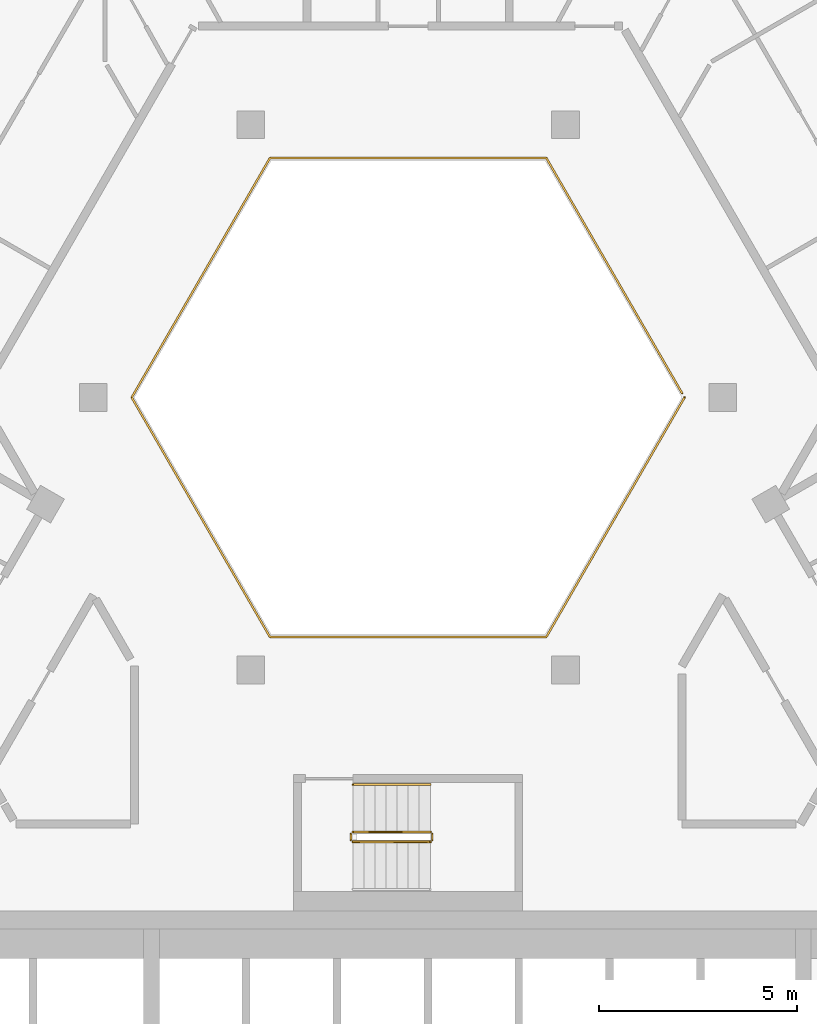
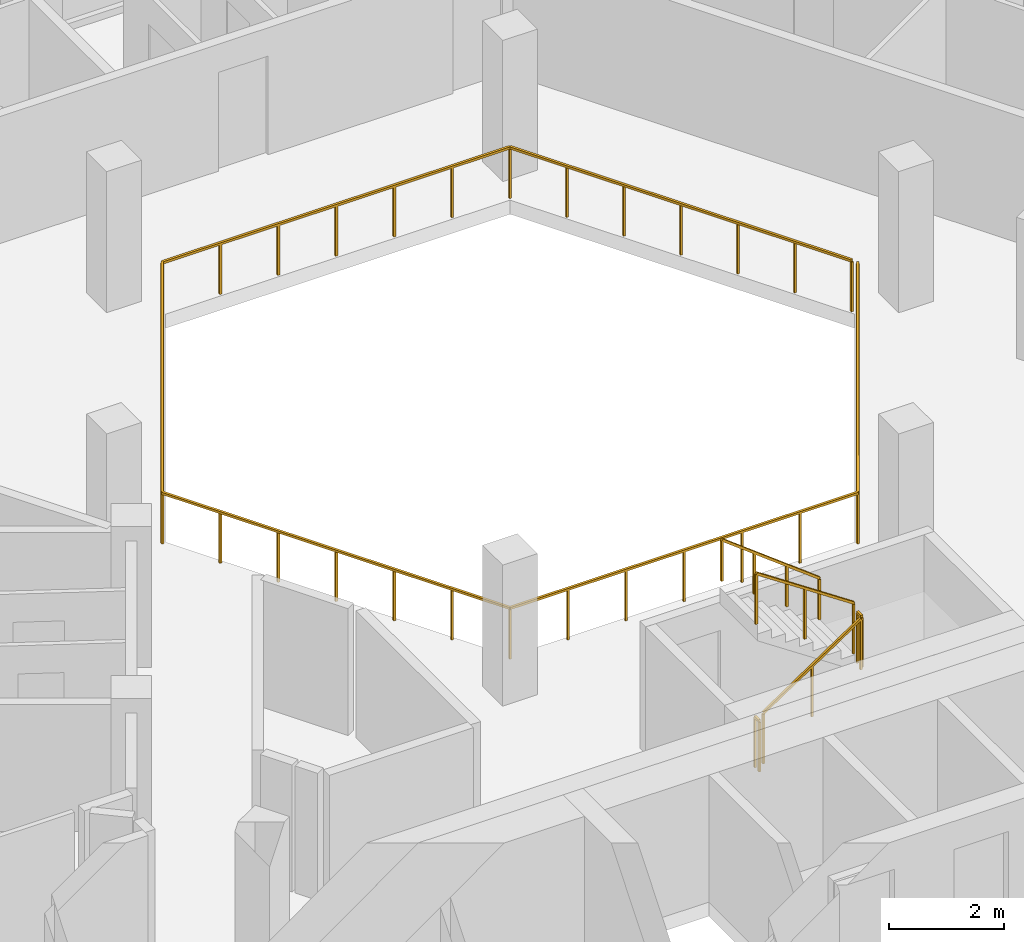
# One storey, part 13 of 15: 6 railings.
"""IFC4 building model written with IfcOpenShell, lengths in metres."""

from ifc_helpers import new_model, si_unit, direction, frame, origin, origin_2d, place, context, subcontext, project, spatial, rectangle, extrude, material, type_object, element, save


model = new_model("IFC4")

# Units and contexts
model_context = context("Model", 3, precision=1e-05, world=origin(), true_north=direction((0.0, 1.0)))
body_context = subcontext(model_context, "Body", "Model", "MODEL_VIEW")
ifc_project = project(units=[si_unit("LENGTHUNIT", "METRE"), si_unit("AREAUNIT", "SQUARE_METRE"), si_unit("VOLUMEUNIT", "CUBIC_METRE"), si_unit("PLANEANGLEUNIT", "RADIAN"), si_unit("MASSUNIT", "GRAM", prefix="KILO")], contexts=[model_context])

# Site, building, storey
site_placement = place(None, origin())
site = spatial("IfcSite", under=ifc_project, at=site_placement, CompositionType="ELEMENT")
building_placement = place(site_placement, origin())
building = spatial("IfcBuilding", under=site, at=building_placement, Name="Beryl Residences", CompositionType="ELEMENT")
storey_placement = place(building_placement, frame((0.0, 0.0, 211.800048828125)))
storey = spatial("IfcBuildingStorey", under=building, at=storey_placement, Name="L65", CompositionType="ELEMENT", Elevation=211.800048828125)

# Railings
ifc_material_1 = material(Name="Stainless steel balustrade with glass infill", Category="steel")
railing_type_1 = type_object("IfcRailingType", Name="EG1 edge guard 1100 mm", PredefinedType="GUARDRAIL", material=ifc_material_1)
railing_1_placement = place(storey_placement, frame((6.9970703125, 8.0, 0.0)))
element("IfcRailing", 1, at=railing_1_placement, inside=storey, type_object=railing_type_1, Name="L65 atrium guard", PredefinedType="GUARDRAIL", context=body_context, shape_type="SweptSolid", body=[
    extrude(rectangle(XDim=0.048095703125, YDim=0.048095703125, at=origin_2d()), frame((0.0, 0.0, 1.076171875), z_axis=(-0.499921796684, -0.866070549782, 0.0), x_axis=(0.866070549782, -0.499921796684, 0.0)), (0.0, 0.0, 1.0), 6.9970703125),
    extrude(rectangle(XDim=0.048095703125, YDim=0.048095703125, at=origin_2d()), frame((-3.498046875, -6.06005859375, 1.076171875), z_axis=(-1.0, 0.0, 0.0), x_axis=(0.0, -1.0, 0.0)), (0.0, 0.0, 1.0), 6.998046875),
    extrude(rectangle(XDim=0.048095703125, YDim=0.048095703125, at=origin_2d()), frame((-10.49609375, -6.06005859375, 1.076171875), z_axis=(-0.499921796684, 0.866070549782, 0.0), x_axis=(-0.866070549782, -0.499921796684, 0.0)), (0.0, 0.0, 1.0), 6.9970703125),
    extrude(rectangle(XDim=0.048095703125, YDim=0.048095703125, at=origin_2d()), frame((-13.994140625, 0.0, 1.076171875), z_axis=(0.499921796684, 0.866070549782, 0.0), x_axis=(-0.866070549782, 0.499921796684, 0.0)), (0.0, 0.0, 1.0), 6.9970703125),
    extrude(rectangle(XDim=0.048095703125, YDim=0.048095703125, at=origin_2d()), frame((-10.49609375, 6.06005859375, 1.076171875), z_axis=(1.0, 0.0, 0.0), x_axis=(0.0, 1.0, 0.0)), (0.0, 0.0, 1.0), 6.998046875),
    extrude(rectangle(XDim=0.048095703125, YDim=0.048095703125, at=origin_2d()), frame((-3.498046875, 6.06005859375, 1.076171875), z_axis=(0.499919131929, -0.866072087953, 0.0), x_axis=(0.866072087953, 0.499919131929, 0.0)), (0.0, 0.0, 1.0), 6.877197265625),
    extrude(rectangle(XDim=0.0419921875, YDim=0.0419921875, at=origin_2d()), origin(), (0.0, 0.0, 1.0), 1.052001953125),
    extrude(rectangle(XDim=0.0419921875, YDim=0.0419921875, at=origin_2d()), frame((-0.5830078125, -1.010009765625, 0.0)), (0.0, 0.0, 1.0), 1.052001953125),
    extrude(rectangle(XDim=0.0419921875, YDim=0.0419921875, at=origin_2d()), frame((-1.166015625, -2.02001953125, 0.0)), (0.0, 0.0, 1.0), 1.052001953125),
    extrude(rectangle(XDim=0.0419921875, YDim=0.0419921875, at=origin_2d()), frame((-1.7490234375, -3.030029296875, 0.0)), (0.0, 0.0, 1.0), 1.052001953125),
    extrude(rectangle(XDim=0.0419921875, YDim=0.0419921875, at=origin_2d()), frame((-2.33203125, -4.0400390625, 0.0)), (0.0, 0.0, 1.0), 1.052001953125),
    extrude(rectangle(XDim=0.0419921875, YDim=0.0419921875, at=origin_2d()), frame((-2.9150390625, -5.050048828125, 0.0)), (0.0, 0.0, 1.0), 1.052001953125),
    extrude(rectangle(XDim=0.0419921875, YDim=0.0419921875, at=origin_2d()), frame((-3.498046875, -6.06005859375, 0.0)), (0.0, 0.0, 1.0), 1.052001953125),
    extrude(rectangle(XDim=0.0419921875, YDim=0.0419921875, at=origin_2d()), frame((-4.664306640625, -6.06005859375, 0.0)), (0.0, 0.0, 1.0), 1.052001953125),
    extrude(rectangle(XDim=0.0419921875, YDim=0.0419921875, at=origin_2d()), frame((-5.830810546875, -6.06005859375, 0.0)), (0.0, 0.0, 1.0), 1.052001953125),
    extrude(rectangle(XDim=0.0419921875, YDim=0.0419921875, at=origin_2d()), frame((-6.9970703125, -6.06005859375, 0.0)), (0.0, 0.0, 1.0), 1.052001953125),
    extrude(rectangle(XDim=0.0419921875, YDim=0.0419921875, at=origin_2d()), frame((-8.163330078125, -6.06005859375, 0.0)), (0.0, 0.0, 1.0), 1.052001953125),
    extrude(rectangle(XDim=0.0419921875, YDim=0.0419921875, at=origin_2d()), frame((-9.329833984375, -6.06005859375, 0.0)), (0.0, 0.0, 1.0), 1.052001953125),
    extrude(rectangle(XDim=0.0419921875, YDim=0.0419921875, at=origin_2d()), frame((-10.49609375, -6.06005859375, 0.0)), (0.0, 0.0, 1.0), 1.052001953125),
    extrude(rectangle(XDim=0.0419921875, YDim=0.0419921875, at=origin_2d()), frame((-11.0791015625, -5.050048828125, 0.0)), (0.0, 0.0, 1.0), 1.052001953125),
    extrude(rectangle(XDim=0.0419921875, YDim=0.0419921875, at=origin_2d()), frame((-11.662109375, -4.0400390625, 0.0)), (0.0, 0.0, 1.0), 1.052001953125),
    extrude(rectangle(XDim=0.0419921875, YDim=0.0419921875, at=origin_2d()), frame((-12.2451171875, -3.030029296875, 0.0)), (0.0, 0.0, 1.0), 1.052001953125),
    extrude(rectangle(XDim=0.0419921875, YDim=0.0419921875, at=origin_2d()), frame((-12.828125, -2.02001953125, 0.0)), (0.0, 0.0, 1.0), 1.052001953125),
    extrude(rectangle(XDim=0.0419921875, YDim=0.0419921875, at=origin_2d()), frame((-13.4111328125, -1.010009765625, 0.0)), (0.0, 0.0, 1.0), 1.052001953125),
    extrude(rectangle(XDim=0.0419921875, YDim=0.0419921875, at=origin_2d()), frame((-13.994140625, 0.0, 0.0)), (0.0, 0.0, 1.0), 1.052001953125),
    extrude(rectangle(XDim=0.0419921875, YDim=0.0419921875, at=origin_2d()), frame((-13.4111328125, 1.010009765625, 0.0)), (0.0, 0.0, 1.0), 1.052001953125),
    extrude(rectangle(XDim=0.0419921875, YDim=0.0419921875, at=origin_2d()), frame((-12.828125, 2.02001953125, 0.0)), (0.0, 0.0, 1.0), 1.052001953125),
    extrude(rectangle(XDim=0.0419921875, YDim=0.0419921875, at=origin_2d()), frame((-12.2451171875, 3.030029296875, 0.0)), (0.0, 0.0, 1.0), 1.052001953125),
    extrude(rectangle(XDim=0.0419921875, YDim=0.0419921875, at=origin_2d()), frame((-11.662109375, 4.0400390625, 0.0)), (0.0, 0.0, 1.0), 1.052001953125),
    extrude(rectangle(XDim=0.0419921875, YDim=0.0419921875, at=origin_2d()), frame((-11.0791015625, 5.050048828125, 0.0)), (0.0, 0.0, 1.0), 1.052001953125),
    extrude(rectangle(XDim=0.0419921875, YDim=0.0419921875, at=origin_2d()), frame((-10.49609375, 6.06005859375, 0.0)), (0.0, 0.0, 1.0), 1.052001953125),
    extrude(rectangle(XDim=0.0419921875, YDim=0.0419921875, at=origin_2d()), frame((-9.329833984375, 6.06005859375, 0.0)), (0.0, 0.0, 1.0), 1.052001953125),
    extrude(rectangle(XDim=0.0419921875, YDim=0.0419921875, at=origin_2d()), frame((-8.163330078125, 6.06005859375, 0.0)), (0.0, 0.0, 1.0), 1.052001953125),
    extrude(rectangle(XDim=0.0419921875, YDim=0.0419921875, at=origin_2d()), frame((-6.9970703125, 6.06005859375, 0.0)), (0.0, 0.0, 1.0), 1.052001953125),
    extrude(rectangle(XDim=0.0419921875, YDim=0.0419921875, at=origin_2d()), frame((-5.830810546875, 6.06005859375, 0.0)), (0.0, 0.0, 1.0), 1.052001953125),
    extrude(rectangle(XDim=0.0419921875, YDim=0.0419921875, at=origin_2d()), frame((-4.664306640625, 6.06005859375, 0.0)), (0.0, 0.0, 1.0), 1.052001953125),
    extrude(rectangle(XDim=0.0419921875, YDim=0.0419921875, at=origin_2d()), frame((-3.498046875, 6.06005859375, 0.0)), (0.0, 0.0, 1.0), 1.052001953125),
    extrude(rectangle(XDim=0.0419921875, YDim=0.0419921875, at=origin_2d()), frame((-2.925048828125, 5.0673828125, 0.0)), (0.0, 0.0, 1.0), 1.052001953125),
    extrude(rectangle(XDim=0.0419921875, YDim=0.0419921875, at=origin_2d()), frame((-2.35205078125, 4.07470703125, 0.0)), (0.0, 0.0, 1.0), 1.052001953125),
    extrude(rectangle(XDim=0.0419921875, YDim=0.0419921875, at=origin_2d()), frame((-1.779052734375, 3.08203125, 0.0)), (0.0, 0.0, 1.0), 1.052001953125),
    extrude(rectangle(XDim=0.0419921875, YDim=0.0419921875, at=origin_2d()), frame((-1.2060546875, 2.08935546875, 0.0)), (0.0, 0.0, 1.0), 1.052001953125),
    extrude(rectangle(XDim=0.0419921875, YDim=0.0419921875, at=origin_2d()), frame((-0.633056640625, 1.0966796875, 0.0)), (0.0, 0.0, 1.0), 1.052001953125),
    extrude(rectangle(XDim=0.0419921875, YDim=0.0419921875, at=origin_2d()), frame((-0.06005859375, 0.10400390625, 0.0)), (0.0, 0.0, 1.0), 1.052001953125),
])
ifc_material_2 = material(Name="Stainless steel balustrade with glass infill", Category="steel")
railing_type_2 = type_object("IfcRailingType", Name="SG1 stair guard 1100 mm", PredefinedType="GUARDRAIL", material=ifc_material_2)
railing_2_placement = place(storey_placement, frame((-1.39990234375, -3.25, 0.1875)))
element("IfcRailing", 2, at=railing_2_placement, inside=storey, type_object=railing_type_2, Name="L65 ST-4 stair guard 1", PredefinedType="GUARDRAIL", context=body_context, shape_type="SweptSolid", body=[
    extrude(rectangle(XDim=0.048095703125, YDim=0.048095703125, at=origin_2d()), frame((0.0, 0.0, 1.076171875), z_axis=(0.830902050051, 0.0, 0.556418712142), x_axis=(0.0, 1.0, 0.0)), (0.0, 0.0, 1.0), 2.35888671875),
    extrude(rectangle(XDim=0.0419921875, YDim=0.0419921875, at=origin_2d()), origin(), (0.0, 0.0, 1.0), 1.052001953125),
    extrude(rectangle(XDim=0.0419921875, YDim=0.0419921875, at=origin_2d()), frame((0.97998046875, 0.0, 0.65625)), (0.0, 0.0, 1.0), 1.052001953125),
    extrude(rectangle(XDim=0.0419921875, YDim=0.0419921875, at=origin_2d()), frame((1.9599609375, 0.0, 1.3125)), (0.0, 0.0, 1.0), 1.052001953125),
])
railing_3_placement = place(storey_placement, frame((0.610107421875, -3.199951171875, 1.5)))
element("IfcRailing", 3, at=railing_3_placement, inside=storey, type_object=railing_type_2, Name="L65 ST-4 stair guard 2", PredefinedType="GUARDRAIL", context=body_context, shape_type="SweptSolid", body=[
    extrude(rectangle(XDim=0.048095703125, YDim=0.048095703125, at=origin_2d()), frame((0.0, 0.0, 1.076171875), z_axis=(0.0, 1.0, 0.0), x_axis=(-1.0, 0.0, 0.0)), (0.0, 0.0, 1.0), 0.14990234375),
    extrude(rectangle(XDim=0.0419921875, YDim=0.0419921875, at=origin_2d()), origin(), (0.0, 0.0, 1.0), 1.052001953125),
    extrude(rectangle(XDim=0.0419921875, YDim=0.0419921875, at=origin_2d()), frame((0.0, 0.14990234375, 0.0)), (0.0, 0.0, 1.0), 1.052001953125),
])
railing_4_placement = place(storey_placement, frame((0.56005859375, -3.0, 1.6875)))
element("IfcRailing", 4, at=railing_4_placement, inside=storey, type_object=railing_type_2, Name="L65 ST-4 stair guard 3", PredefinedType="GUARDRAIL", context=body_context, shape_type="SweptSolid", body=[
    extrude(rectangle(XDim=0.048095703125, YDim=0.048095703125, at=origin_2d()), frame((0.0, 0.0, 1.076171875), z_axis=(-0.830902050051, 0.0, 0.556418712142), x_axis=(0.0, -1.0, 0.0)), (0.0, 0.0, 1.0), 2.35888671875),
    extrude(rectangle(XDim=0.0419921875, YDim=0.0419921875, at=origin_2d()), origin(), (0.0, 0.0, 1.0), 1.052001953125),
    extrude(rectangle(XDim=0.0419921875, YDim=0.0419921875, at=origin_2d()), frame((-0.97998046875, 0.0, 0.65625)), (0.0, 0.0, 1.0), 1.052001953125),
    extrude(rectangle(XDim=0.0419921875, YDim=0.0419921875, at=origin_2d()), frame((-1.9599609375, 0.0, 1.3125)), (0.0, 0.0, 1.0), 1.052001953125),
])
railing_5_placement = place(storey_placement, frame((-1.449951171875, -3.199951171875, 0.0)))
element("IfcRailing", 5, at=railing_5_placement, inside=storey, type_object=railing_type_2, Name="L65 ST-4 stair guard 4", PredefinedType="GUARDRAIL", context=body_context, shape_type="SweptSolid", body=[
    extrude(rectangle(XDim=0.048095703125, YDim=0.048095703125, at=origin_2d()), frame((0.0, 0.0, 1.076171875), z_axis=(0.0, 1.0, 0.0), x_axis=(-1.0, 0.0, 0.0)), (0.0, 0.0, 1.0), 0.14990234375),
    extrude(rectangle(XDim=0.0419921875, YDim=0.0419921875, at=origin_2d()), origin(), (0.0, 0.0, 1.0), 1.052001953125),
    extrude(rectangle(XDim=0.0419921875, YDim=0.0419921875, at=origin_2d()), frame((0.0, 0.14990234375, 0.0)), (0.0, 0.0, 1.0), 1.052001953125),
])
ifc_material_3 = material(Name="Stainless steel handrail", Category="steel")
railing_type_3 = type_object("IfcRailingType", Name="SRL1 stair handrail 900 mm", PredefinedType="HANDRAIL", material=ifc_material_3)
railing_6_placement = place(storey_placement, frame((0.56005859375, -1.800048828125, 1.6875)))
element("IfcRailing", 6, at=railing_6_placement, inside=storey, type_object=railing_type_3, Name="L65 ST-4 stair handrail 2", PredefinedType="HANDRAIL", context=body_context, shape_type="SweptSolid", body=[
    extrude(rectangle(XDim=0.048095703125, YDim=0.048095703125, at=origin_2d()), frame((0.0, 0.0, 0.8759765625), z_axis=(-0.794121922505, 0.0, 0.607758481798), x_axis=(0.0, -1.0, 0.0)), (0.0, 0.0, 1.0), 2.468017578125),
    extrude(rectangle(XDim=0.0419921875, YDim=0.0419921875, at=origin_2d()), origin(), (0.0, 0.0, 1.0), 0.851806640625),
    extrude(rectangle(XDim=0.0419921875, YDim=0.0419921875, at=origin_2d()), frame((-0.6533203125, 0.0, 0.5)), (0.0, 0.0, 1.0), 0.851806640625),
    extrude(rectangle(XDim=0.0419921875, YDim=0.0419921875, at=origin_2d()), frame((-1.306640625, 0.0, 1.0)), (0.0, 0.0, 1.0), 0.851806640625),
    extrude(rectangle(XDim=0.0419921875, YDim=0.0419921875, at=origin_2d()), frame((-1.9599609375, 0.0, 1.5)), (0.0, 0.0, 1.0), 0.851806640625),
])

save(model, "model.ifc")
